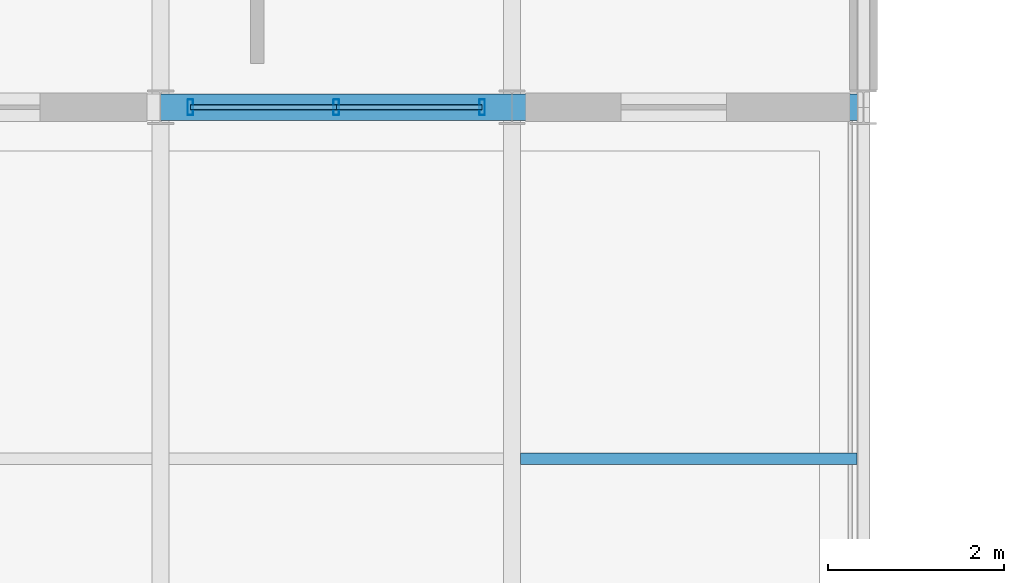
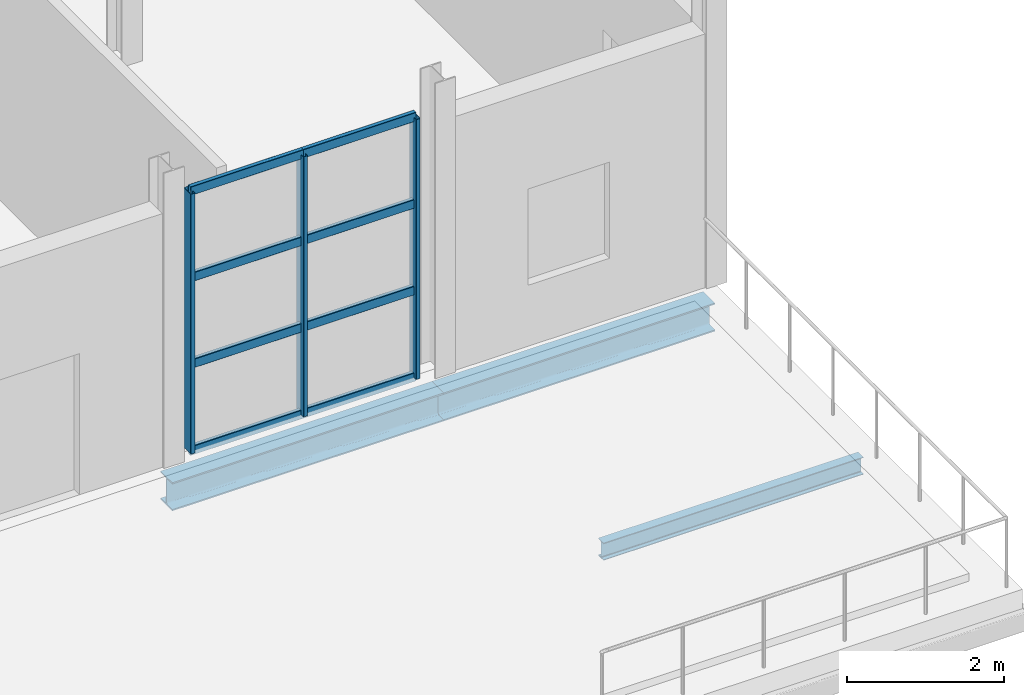
# One storey, part 49 of 67: 11 members, 3 beams, 1 element without a shape of its own.
"""IFC4 building model written with IfcOpenShell, lengths in metres."""

from ifc_helpers import new_model, si_unit, derived_unit, direction, frame, origin, origin_2d, place, context, subcontext, project, spatial, hollow_rectangle, i_section, extrude, material, material_profile, profile_set, type_object, element, aggregate, save


model = new_model("IFC4")

# Units and contexts
model_context = context("Model", 3, precision=1e-05, world=origin(), true_north=direction((0.0, 1.0)))
body_context = subcontext(model_context, "Body", "Model", "MODEL_VIEW")
ifc_project = project(units=[si_unit("LENGTHUNIT", "METRE"), si_unit("AREAUNIT", "SQUARE_METRE"), si_unit("VOLUMEUNIT", "CUBIC_METRE"), si_unit("PLANEANGLEUNIT", "RADIAN"), si_unit("MASSUNIT", "GRAM", prefix="KILO"), derived_unit("THERMALTRANSMITTANCEUNIT", [(si_unit("POWERUNIT", "WATT"), 1), (si_unit("LENGTHUNIT", "METRE"), -2), (si_unit("THERMODYNAMICTEMPERATUREUNIT", "KELVIN"), -1)])], contexts=[model_context])

# Site, building, storey
site_placement = place(None, origin())
site = spatial("IfcSite", under=ifc_project, at=site_placement, CompositionType="ELEMENT")
building_placement = place(site_placement, origin())
building = spatial("IfcBuilding", under=site, at=building_placement, Name="Keldorne Ridge Multi-Sports Centre", CompositionType="ELEMENT")
storey_placement = place(building_placement, frame((0.0, 0.0, 14.0)))
storey = spatial("IfcBuildingStorey", under=building, at=storey_placement, Name="L03", CompositionType="ELEMENT", Elevation=14.0)

# Beams
ifc_material_1 = material(Name="Steel S355", Category="steel")
ifc_material_profile_1 = material_profile(ifc_material_1, i_section(OverallWidth=0.300048828125, OverallDepth=0.43994140625, WebThickness=0.011474609375, FlangeThickness=0.02099609375, FilletRadius=0.027099609375, at=origin_2d()), Name="HEA 450")
ifc_profile_set_1 = profile_set([ifc_material_profile_1], Name="Steel S355")
beam_type_1 = type_object("IfcBeamType", Name="BM-B-09", PredefinedType="BEAM", material=ifc_profile_set_1)
for number, where, z_axis, x_axis, name in (
    (1, (144.0, 74.0, -0.52001953125), (1.0, 0.0, 0.0), (0.0, 1.0, 0.0), "L03 primary beam 9.74"),
    (2, (148.0, 74.0, -0.52001953125), (1.0, 0.0, 0.0), (0.0, 1.0, 0.0), "L03 primary beam 10.74"),
):
    element("IfcBeam", number, at=place(storey_placement, frame(where, z_axis=z_axis, x_axis=x_axis)), inside=storey, type_object=beam_type_1, Name=name, PredefinedType="BEAM", context=body_context, shape_type="SweptSolid", body=[
        extrude(i_section(OverallWidth=0.300048828125, OverallDepth=0.43994140625, WebThickness=0.011474609375, FlangeThickness=0.02099609375, FilletRadius=0.027099609375, at=origin_2d()), origin(), (0.0, 0.0, 1.0), 4.0),
    ])
ifc_material_profile_2 = material_profile(ifc_material_1, i_section(OverallWidth=0.135009765625, OverallDepth=0.27001953125, WebThickness=0.006591796875, FlangeThickness=0.01025390625, FilletRadius=0.014892578125, at=origin_2d()), Name="IPE 270")
ifc_profile_set_2 = profile_set([ifc_material_profile_2], Name="Steel S355")
beam_type_2 = type_object("IfcBeamType", Name="BM-J-03", PredefinedType="JOIST", material=ifc_profile_set_2)
beam_placement = place(storey_placement, frame((148.094970703125, 70.0, -0.43505859375), z_axis=(1.0, 0.0, 0.0), x_axis=(0.0, 1.0, 0.0)))
element("IfcBeam", 3, at=beam_placement, inside=storey, type_object=beam_type_2, Name="L03 secondary joist 10.1", PredefinedType="JOIST", context=body_context, shape_type="SweptSolid", body=[
    extrude(i_section(OverallWidth=0.135009765625, OverallDepth=0.27001953125, WebThickness=0.006591796875, FlangeThickness=0.01025390625, FilletRadius=0.014892578125, at=origin_2d()), origin(), (0.0, 0.0, 1.0), 3.830078125),
])

# Curtain wall, members
ifc_material_2 = material(Name="Anodized aluminium", Category="aluminium")
curtain_wall_type = type_object("IfcCurtainWallType", Name="CW-CW-04", PredefinedType="NOTDEFINED", material=ifc_material_2)
curtain_wall_placement = place(storey_placement, origin())
curtain_wall = element("IfcCurtainWall", 4, at=curtain_wall_placement, inside=storey, type_object=curtain_wall_type, Name="East Wing L03 south curtain wall 156", PredefinedType="NOTDEFINED")
ifc_material_profile_3 = material_profile(ifc_material_2, hollow_rectangle(XDim=0.06494140625, YDim=0.179931640625, WallThickness=0.00439453125, InnerFilletRadius=0.00439453125, OuterFilletRadius=0.009033203125, at=origin_2d()), Name="ALU MULLION 180x65x4.5")
ifc_profile_set_3 = profile_set([ifc_material_profile_3], Name="Anodized aluminium")
member_type_1 = type_object("IfcMemberType", Name="MEM-ML-01", PredefinedType="MULLION", material=ifc_profile_set_3)
member_1_placement = place(storey_placement, frame((144.340087890625, 74.0, 0.0), z_axis=(0.0, 0.0, 1.0), x_axis=(1.0, 0.0, 0.0)))
member_1 = element("IfcMember", 5, at=member_1_placement, type_object=member_type_1, Name="CW-156 vertical mullion 1", PredefinedType="MULLION", context=body_context, shape_type="SweptSolid", body=[
    extrude(hollow_rectangle(XDim=0.06494140625, YDim=0.179931640625, WallThickness=0.00439453125, InnerFilletRadius=0.00439453125, OuterFilletRadius=0.009033203125, at=origin_2d()), origin(), (0.0, 0.0, 1.0), 4.050048828125),
])
member_2_placement = place(storey_placement, frame((146.0, 74.0, 0.0), z_axis=(0.0, 0.0, 1.0), x_axis=(1.0, 0.0, 0.0)))
member_2 = element("IfcMember", 6, at=member_2_placement, type_object=member_type_1, Name="CW-156 vertical mullion 2", PredefinedType="MULLION", context=body_context, shape_type="SweptSolid", body=[
    extrude(hollow_rectangle(XDim=0.06494140625, YDim=0.179931640625, WallThickness=0.00439453125, InnerFilletRadius=0.00439453125, OuterFilletRadius=0.009033203125, at=origin_2d()), origin(), (0.0, 0.0, 1.0), 4.050048828125),
])
member_3_placement = place(storey_placement, frame((147.659912109375, 74.0, 0.0), z_axis=(0.0, 0.0, 1.0), x_axis=(1.0, 0.0, 0.0)))
member_3 = element("IfcMember", 7, at=member_3_placement, type_object=member_type_1, Name="CW-156 vertical mullion 3", PredefinedType="MULLION", context=body_context, shape_type="SweptSolid", body=[
    extrude(hollow_rectangle(XDim=0.06494140625, YDim=0.179931640625, WallThickness=0.00439453125, InnerFilletRadius=0.00439453125, OuterFilletRadius=0.009033203125, at=origin_2d()), origin(), (0.0, 0.0, 1.0), 4.050048828125),
])
ifc_material_profile_4 = material_profile(ifc_material_2, hollow_rectangle(XDim=0.06494140625, YDim=0.139892578125, WallThickness=0.00439453125, InnerFilletRadius=0.00439453125, OuterFilletRadius=0.009033203125, at=origin_2d()), Name="ALU TRANSOM 140x65x4.5")
ifc_profile_set_4 = profile_set([ifc_material_profile_4], Name="Anodized aluminium")
member_type_2 = type_object("IfcMemberType", Name="MEM-TR-01", PredefinedType="USERDEFINED", material=ifc_profile_set_4)
member_4_placement = place(storey_placement, frame((144.340087890625, 74.0, 0.0), z_axis=(1.0, 0.0, 0.0), x_axis=(0.0, 1.0, 0.0)))
member_4 = element("IfcMember", 8, at=member_4_placement, type_object=member_type_2, Name="CW-156 transom 1.1", ObjectType="TRANSOM", PredefinedType="USERDEFINED", context=body_context, shape_type="SweptSolid", body=[
    extrude(hollow_rectangle(XDim=0.06494140625, YDim=0.139892578125, WallThickness=0.00439453125, InnerFilletRadius=0.00439453125, OuterFilletRadius=0.009033203125, at=origin_2d()), origin(), (0.0, 0.0, 1.0), 1.659912109375),
])
member_5_placement = place(storey_placement, frame((144.340087890625, 74.0, 1.35009765625), z_axis=(1.0, 0.0, 0.0), x_axis=(0.0, 1.0, 0.0)))
member_5 = element("IfcMember", 9, at=member_5_placement, type_object=member_type_2, Name="CW-156 transom 1.2", ObjectType="TRANSOM", PredefinedType="USERDEFINED", context=body_context, shape_type="SweptSolid", body=[
    extrude(hollow_rectangle(XDim=0.06494140625, YDim=0.139892578125, WallThickness=0.00439453125, InnerFilletRadius=0.00439453125, OuterFilletRadius=0.009033203125, at=origin_2d()), origin(), (0.0, 0.0, 1.0), 1.659912109375),
])
member_6_placement = place(storey_placement, frame((144.340087890625, 74.0, 2.699951171875), z_axis=(1.0, 0.0, 0.0), x_axis=(0.0, 1.0, 0.0)))
member_6 = element("IfcMember", 10, at=member_6_placement, type_object=member_type_2, Name="CW-156 transom 1.3", ObjectType="TRANSOM", PredefinedType="USERDEFINED", context=body_context, shape_type="SweptSolid", body=[
    extrude(hollow_rectangle(XDim=0.06494140625, YDim=0.139892578125, WallThickness=0.00439453125, InnerFilletRadius=0.00439453125, OuterFilletRadius=0.009033203125, at=origin_2d()), origin(), (0.0, 0.0, 1.0), 1.659912109375),
])
member_7_placement = place(storey_placement, frame((144.340087890625, 74.0, 4.050048828125), z_axis=(1.0, 0.0, 0.0), x_axis=(0.0, 1.0, 0.0)))
member_7 = element("IfcMember", 11, at=member_7_placement, type_object=member_type_2, Name="CW-156 transom 1.4", ObjectType="TRANSOM", PredefinedType="USERDEFINED", context=body_context, shape_type="SweptSolid", body=[
    extrude(hollow_rectangle(XDim=0.06494140625, YDim=0.139892578125, WallThickness=0.00439453125, InnerFilletRadius=0.00439453125, OuterFilletRadius=0.009033203125, at=origin_2d()), origin(), (0.0, 0.0, 1.0), 1.659912109375),
])
member_8_placement = place(storey_placement, frame((146.0, 74.0, 0.0), z_axis=(1.0, 0.0, 0.0), x_axis=(0.0, 1.0, 0.0)))
member_8 = element("IfcMember", 12, at=member_8_placement, type_object=member_type_2, Name="CW-156 transom 2.1", ObjectType="TRANSOM", PredefinedType="USERDEFINED", context=body_context, shape_type="SweptSolid", body=[
    extrude(hollow_rectangle(XDim=0.06494140625, YDim=0.139892578125, WallThickness=0.00439453125, InnerFilletRadius=0.00439453125, OuterFilletRadius=0.009033203125, at=origin_2d()), origin(), (0.0, 0.0, 1.0), 1.659912109375),
])
member_9_placement = place(storey_placement, frame((146.0, 74.0, 1.35009765625), z_axis=(1.0, 0.0, 0.0), x_axis=(0.0, 1.0, 0.0)))
member_9 = element("IfcMember", 13, at=member_9_placement, type_object=member_type_2, Name="CW-156 transom 2.2", ObjectType="TRANSOM", PredefinedType="USERDEFINED", context=body_context, shape_type="SweptSolid", body=[
    extrude(hollow_rectangle(XDim=0.06494140625, YDim=0.139892578125, WallThickness=0.00439453125, InnerFilletRadius=0.00439453125, OuterFilletRadius=0.009033203125, at=origin_2d()), origin(), (0.0, 0.0, 1.0), 1.659912109375),
])
member_10_placement = place(storey_placement, frame((146.0, 74.0, 2.699951171875), z_axis=(1.0, 0.0, 0.0), x_axis=(0.0, 1.0, 0.0)))
member_10 = element("IfcMember", 14, at=member_10_placement, type_object=member_type_2, Name="CW-156 transom 2.3", ObjectType="TRANSOM", PredefinedType="USERDEFINED", context=body_context, shape_type="SweptSolid", body=[
    extrude(hollow_rectangle(XDim=0.06494140625, YDim=0.139892578125, WallThickness=0.00439453125, InnerFilletRadius=0.00439453125, OuterFilletRadius=0.009033203125, at=origin_2d()), origin(), (0.0, 0.0, 1.0), 1.659912109375),
])
member_11_placement = place(storey_placement, frame((146.0, 74.0, 4.050048828125), z_axis=(1.0, 0.0, 0.0), x_axis=(0.0, 1.0, 0.0)))
member_11 = element("IfcMember", 15, at=member_11_placement, type_object=member_type_2, Name="CW-156 transom 2.4", ObjectType="TRANSOM", PredefinedType="USERDEFINED", context=body_context, shape_type="SweptSolid", body=[
    extrude(hollow_rectangle(XDim=0.06494140625, YDim=0.139892578125, WallThickness=0.00439453125, InnerFilletRadius=0.00439453125, OuterFilletRadius=0.009033203125, at=origin_2d()), origin(), (0.0, 0.0, 1.0), 1.659912109375),
])
aggregate(curtain_wall, [member_1, member_2, member_3, member_4, member_5, member_6, member_7, member_8, member_9, member_10, member_11])

save(model, "model.ifc")
